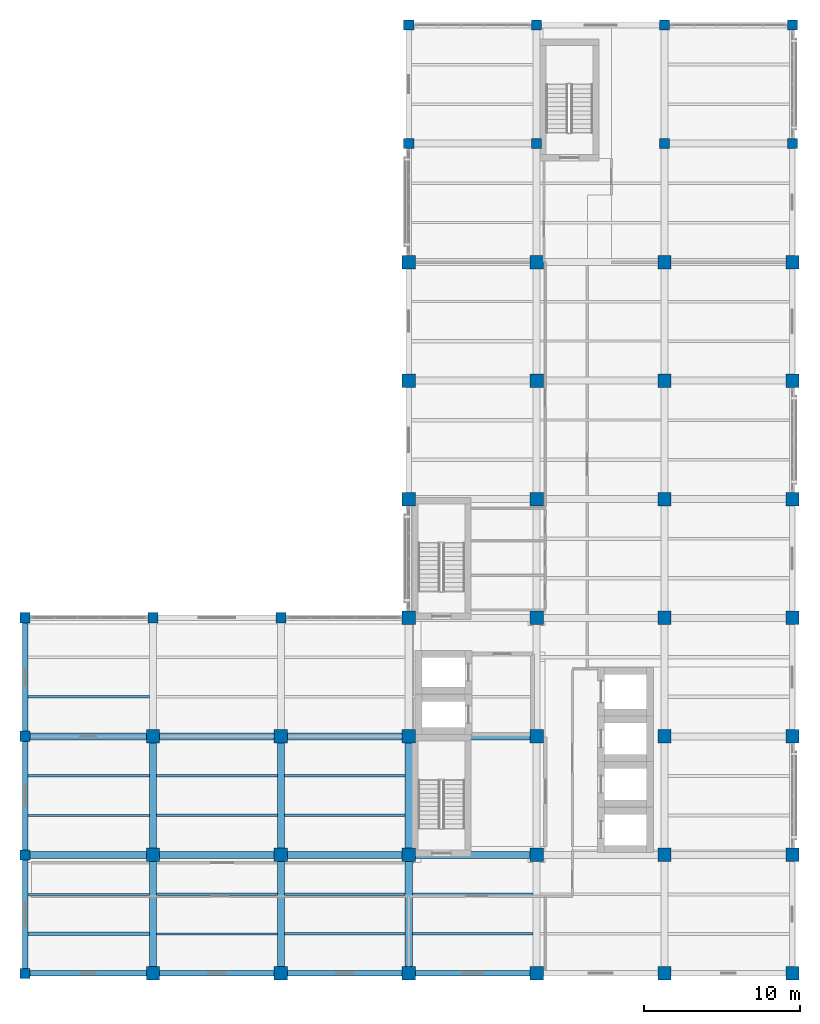
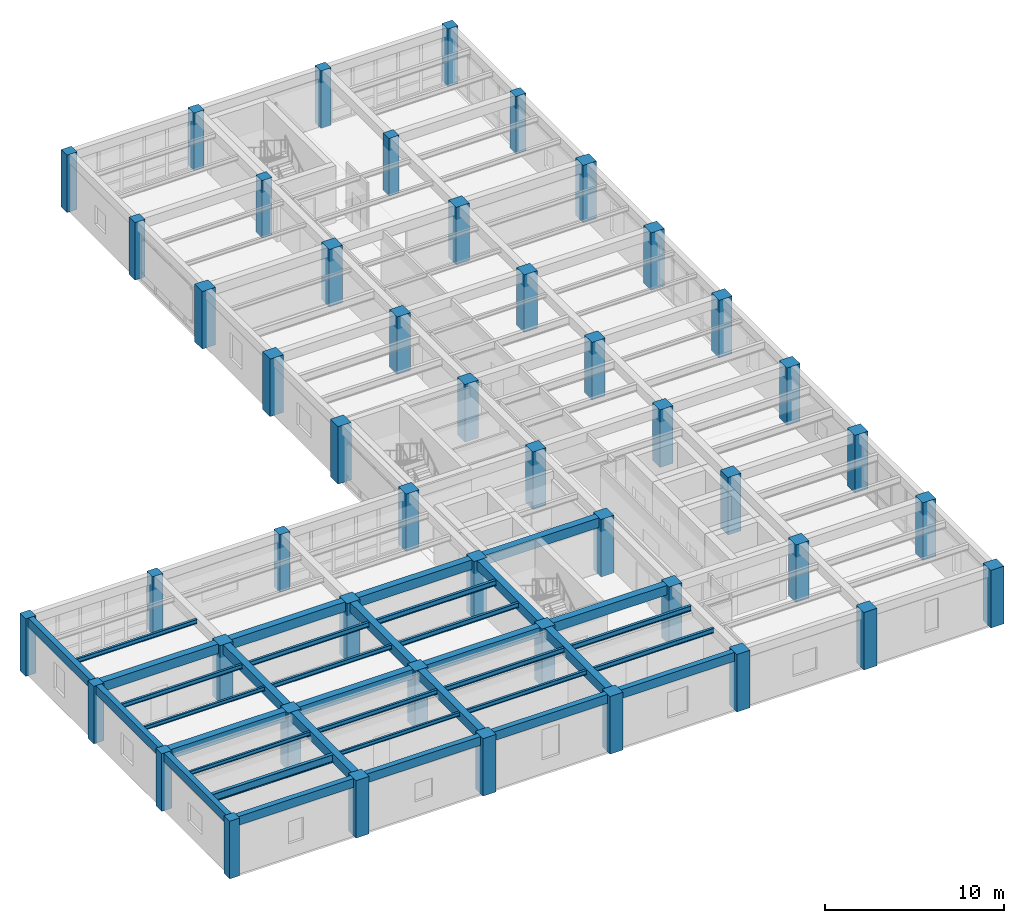
# One storey, part 1 of 16: 48 columns, 36 beams.
"""IFC4 building model written with IfcOpenShell, lengths in metres."""

from ifc_helpers import new_model, si_unit, direction, frame, origin, origin_2d, place, context, subcontext, project, spatial, rectangle, i_section, extrude, material, material_profile, profile_set, type_object, element, save


model = new_model("IFC4")

# Units and contexts
model_context = context("Model", 3, precision=1e-05, world=origin(), true_north=direction((0.0, 1.0)))
body_context = subcontext(model_context, "Body", "Model", "MODEL_VIEW")
ifc_project = project(units=[si_unit("LENGTHUNIT", "METRE"), si_unit("AREAUNIT", "SQUARE_METRE"), si_unit("VOLUMEUNIT", "CUBIC_METRE"), si_unit("PLANEANGLEUNIT", "RADIAN"), si_unit("MASSUNIT", "GRAM", prefix="KILO")], contexts=[model_context])

# Site, building, storey
site_placement = place(None, origin())
site = spatial("IfcSite", under=ifc_project, at=site_placement, CompositionType="ELEMENT")
building_placement = place(site_placement, origin())
building = spatial("IfcBuilding", under=site, at=building_placement, Name="Qandaris Square Conservatory and Botanical Centre", CompositionType="ELEMENT")
storey_placement = place(building_placement, frame((0.0, 0.0, 24.0)))
storey = spatial("IfcBuildingStorey", under=building, at=storey_placement, Name="L05", CompositionType="ELEMENT", Elevation=24.0)

# Columns
ifc_material_1 = material(Name="Concrete C50/60", Category="concrete")
ifc_material_profile_1 = material_profile(ifc_material_1, rectangle(XDim=0.64990234375, YDim=0.64990234375, at=origin_2d()), Name="RC-COL 650x650")
ifc_profile_set_1 = profile_set([ifc_material_profile_1], Name="Concrete C50/60")
column_type_1 = type_object("IfcColumnType", Name="RC Column 650x650", PredefinedType="COLUMN", material=ifc_profile_set_1)
for number, where, z_axis, x_axis, name in (
    (1, (114.60009765625, 16.60009765625, 0.0), (0.0, 0.0, 1.0), (1.0, 0.0, 0.0), "Column B14 (L05)"),
    (2, (114.60009765625, 24.199951171875, 0.0), (0.0, 0.0, 1.0), (1.0, 0.0, 0.0), "Column C14 (L05)"),
    (3, (114.60009765625, 31.800048828125, 0.0), (0.0, 0.0, 1.0), (1.0, 0.0, 0.0), "Column D14 (L05)"),
    (4, (114.60009765625, 39.39990234375, 0.0), (0.0, 0.0, 1.0), (1.0, 0.0, 0.0), "Column E14 (L05)"),
    (5, (122.800048828125, 39.39990234375, 0.0), (0.0, 0.0, 1.0), (1.0, 0.0, 0.0), "Column E15 (L05)"),
    (6, (131.0, 39.39990234375, 0.0), (0.0, 0.0, 1.0), (1.0, 0.0, 0.0), "Column E16 (L05)"),
    (7, (139.199951171875, 69.800048828125, 0.0), (0.0, 0.0, 1.0), (1.0, 0.0, 0.0), "Column J17 (L05)"),
    (8, (139.199951171875, 77.39990234375, 0.0), (0.0, 0.0, 1.0), (1.0, 0.0, 0.0), "Column K17 (L05)"),
    (9, (147.39990234375, 69.800048828125, 0.0), (0.0, 0.0, 1.0), (1.0, 0.0, 0.0), "Column J18 (L05)"),
    (10, (147.39990234375, 77.39990234375, 0.0), (0.0, 0.0, 1.0), (1.0, 0.0, 0.0), "Column K18 (L05)"),
    (11, (155.60009765625, 69.800048828125, 0.0), (0.0, 0.0, 1.0), (1.0, 0.0, 0.0), "Column J19 (L05)"),
    (12, (155.60009765625, 77.39990234375, 0.0), (0.0, 0.0, 1.0), (1.0, 0.0, 0.0), "Column K19 (L05)"),
    (13, (163.800048828125, 69.800048828125, 0.0), (0.0, 0.0, 1.0), (1.0, 0.0, 0.0), "Column J20 (L05)"),
    (14, (163.800048828125, 77.39990234375, 0.0), (0.0, 0.0, 1.0), (1.0, 0.0, 0.0), "Column K20 (L05)"),
):
    element("IfcColumn", number, at=place(storey_placement, frame(where, z_axis=z_axis, x_axis=x_axis)), inside=storey, type_object=column_type_1, Name=name, PredefinedType="COLUMN", context=body_context, shape_type="SweptSolid", body=[
        extrude(rectangle(XDim=0.64990234375, YDim=0.64990234375, at=origin_2d()), origin(), (0.0, 0.0, 1.0), 3.929931640625),
    ])
ifc_material_profile_2 = material_profile(ifc_material_1, rectangle(XDim=0.85009765625, YDim=0.85009765625, at=origin_2d()), Name="RC-COL 850x850")
ifc_profile_set_2 = profile_set([ifc_material_profile_2], Name="Concrete C50/60")
column_type_2 = type_object("IfcColumnType", Name="RC Column 850x850", PredefinedType="COLUMN", material=ifc_profile_set_2)
for number, where, z_axis, x_axis, name in (
    (15, (122.800048828125, 16.60009765625, 0.0), (0.0, 0.0, 1.0), (1.0, 0.0, 0.0), "Column B15 (L05)"),
    (16, (122.800048828125, 24.199951171875, 0.0), (0.0, 0.0, 1.0), (1.0, 0.0, 0.0), "Column C15 (L05)"),
    (17, (122.800048828125, 31.800048828125, 0.0), (0.0, 0.0, 1.0), (1.0, 0.0, 0.0), "Column D15 (L05)"),
    (18, (131.0, 16.60009765625, 0.0), (0.0, 0.0, 1.0), (1.0, 0.0, 0.0), "Column B16 (L05)"),
    (19, (131.0, 24.199951171875, 0.0), (0.0, 0.0, 1.0), (1.0, 0.0, 0.0), "Column C16 (L05)"),
    (20, (131.0, 31.800048828125, 0.0), (0.0, 0.0, 1.0), (1.0, 0.0, 0.0), "Column D16 (L05)"),
    (21, (139.199951171875, 16.60009765625, 0.0), (0.0, 0.0, 1.0), (1.0, 0.0, 0.0), "Column B17 (L05)"),
    (22, (139.199951171875, 24.199951171875, 0.0), (0.0, 0.0, 1.0), (1.0, 0.0, 0.0), "Column C17 (L05)"),
    (23, (139.199951171875, 31.800048828125, 0.0), (0.0, 0.0, 1.0), (1.0, 0.0, 0.0), "Column D17 (L05)"),
    (24, (139.199951171875, 39.39990234375, 0.0), (0.0, 0.0, 1.0), (1.0, 0.0, 0.0), "Column E17 (L05)"),
    (25, (139.199951171875, 47.0, 0.0), (0.0, 0.0, 1.0), (1.0, 0.0, 0.0), "Column F17 (L05)"),
    (26, (139.199951171875, 54.60009765625, 0.0), (0.0, 0.0, 1.0), (1.0, 0.0, 0.0), "Column G17 (L05)"),
    (27, (139.199951171875, 62.199951171875, 0.0), (0.0, 0.0, 1.0), (1.0, 0.0, 0.0), "Column H17 (L05)"),
    (28, (147.39990234375, 16.60009765625, 0.0), (0.0, 0.0, 1.0), (1.0, 0.0, 0.0), "Column B18 (L05)"),
    (29, (147.39990234375, 24.199951171875, 0.0), (0.0, 0.0, 1.0), (1.0, 0.0, 0.0), "Column C18 (L05)"),
    (30, (147.39990234375, 31.800048828125, 0.0), (0.0, 0.0, 1.0), (1.0, 0.0, 0.0), "Column D18 (L05)"),
    (31, (147.39990234375, 39.39990234375, 0.0), (0.0, 0.0, 1.0), (1.0, 0.0, 0.0), "Column E18 (L05)"),
    (32, (147.39990234375, 47.0, 0.0), (0.0, 0.0, 1.0), (1.0, 0.0, 0.0), "Column F18 (L05)"),
    (33, (147.39990234375, 54.60009765625, 0.0), (0.0, 0.0, 1.0), (1.0, 0.0, 0.0), "Column G18 (L05)"),
    (34, (147.39990234375, 62.199951171875, 0.0), (0.0, 0.0, 1.0), (1.0, 0.0, 0.0), "Column H18 (L05)"),
    (35, (155.60009765625, 16.60009765625, 0.0), (0.0, 0.0, 1.0), (1.0, 0.0, 0.0), "Column B19 (L05)"),
    (36, (155.60009765625, 24.199951171875, 0.0), (0.0, 0.0, 1.0), (1.0, 0.0, 0.0), "Column C19 (L05)"),
    (37, (155.60009765625, 31.800048828125, 0.0), (0.0, 0.0, 1.0), (1.0, 0.0, 0.0), "Column D19 (L05)"),
    (38, (155.60009765625, 39.39990234375, 0.0), (0.0, 0.0, 1.0), (1.0, 0.0, 0.0), "Column E19 (L05)"),
    (39, (155.60009765625, 47.0, 0.0), (0.0, 0.0, 1.0), (1.0, 0.0, 0.0), "Column F19 (L05)"),
    (40, (155.60009765625, 54.60009765625, 0.0), (0.0, 0.0, 1.0), (1.0, 0.0, 0.0), "Column G19 (L05)"),
    (41, (155.60009765625, 62.199951171875, 0.0), (0.0, 0.0, 1.0), (1.0, 0.0, 0.0), "Column H19 (L05)"),
    (42, (163.800048828125, 16.60009765625, 0.0), (0.0, 0.0, 1.0), (1.0, 0.0, 0.0), "Column B20 (L05)"),
    (43, (163.800048828125, 24.199951171875, 0.0), (0.0, 0.0, 1.0), (1.0, 0.0, 0.0), "Column C20 (L05)"),
    (44, (163.800048828125, 31.800048828125, 0.0), (0.0, 0.0, 1.0), (1.0, 0.0, 0.0), "Column D20 (L05)"),
    (45, (163.800048828125, 39.39990234375, 0.0), (0.0, 0.0, 1.0), (1.0, 0.0, 0.0), "Column E20 (L05)"),
    (46, (163.800048828125, 47.0, 0.0), (0.0, 0.0, 1.0), (1.0, 0.0, 0.0), "Column F20 (L05)"),
    (47, (163.800048828125, 54.60009765625, 0.0), (0.0, 0.0, 1.0), (1.0, 0.0, 0.0), "Column G20 (L05)"),
    (48, (163.800048828125, 62.199951171875, 0.0), (0.0, 0.0, 1.0), (1.0, 0.0, 0.0), "Column H20 (L05)"),
):
    element("IfcColumn", number, at=place(storey_placement, frame(where, z_axis=z_axis, x_axis=x_axis)), inside=storey, type_object=column_type_2, Name=name, PredefinedType="COLUMN", context=body_context, shape_type="SweptSolid", body=[
        extrude(rectangle(XDim=0.85009765625, YDim=0.85009765625, at=origin_2d()), origin(), (0.0, 0.0, 1.0), 3.929931640625),
    ])

# Beams
ifc_material_2 = material(Name="Steel S355", Category="steel")
ifc_material_profile_3 = material_profile(ifc_material_2, i_section(OverallWidth=0.14990234375, OverallDepth=0.300048828125, WebThickness=0.007080078125, FlangeThickness=0.0107421875, FilletRadius=0.014892578125, at=origin_2d()), Name="IPE 300")
ifc_profile_set_3 = profile_set([ifc_material_profile_3], Name="Steel S355")
beam_type_1 = type_object("IfcBeamType", Name="Composite Lab Joist IPE 300", PredefinedType="JOIST", material=ifc_profile_set_3)
for number, where, z_axis, x_axis, name in (
    (49, (114.77490234375, 29.2666015625, 3.77001953125), (1.0, 0.0, 0.0), (0.0, 1.0, 0.0), "L05 Composite Joist 1904"),
    (50, (114.77490234375, 34.333251953125, 3.77001953125), (1.0, 0.0, 0.0), (0.0, 1.0, 0.0), "L05 Composite Joist 1905"),
):
    element("IfcBeam", number, at=place(storey_placement, frame(where, z_axis=z_axis, x_axis=x_axis)), inside=storey, type_object=beam_type_1, Name=name, PredefinedType="JOIST", context=body_context, shape_type="SweptSolid", body=[
        extrude(i_section(OverallWidth=0.14990234375, OverallDepth=0.300048828125, WebThickness=0.007080078125, FlangeThickness=0.0107421875, FilletRadius=0.014892578125, at=origin_2d()), origin(), (0.0, 0.0, 1.0), 7.800048828125),
    ])
for number, where, z_axis, x_axis, name in (
    (51, (123.02490234375, 21.666748046875, 3.77001953125), (1.0, 0.0, 0.0), (0.0, 1.0, 0.0), "L05 Composite Joist 1908"),
    (52, (123.02490234375, 26.7333984375, 3.77001953125), (1.0, 0.0, 0.0), (0.0, 1.0, 0.0), "L05 Composite Joist 1909"),
    (53, (131.22509765625, 19.13330078125, 3.77001953125), (1.0, 0.0, 0.0), (0.0, 1.0, 0.0), "L05 Composite Joist 1913"),
):
    element("IfcBeam", number, at=place(storey_placement, frame(where, z_axis=z_axis, x_axis=x_axis)), inside=storey, type_object=beam_type_1, Name=name, PredefinedType="JOIST", context=body_context, shape_type="SweptSolid", body=[
        extrude(i_section(OverallWidth=0.14990234375, OverallDepth=0.300048828125, WebThickness=0.007080078125, FlangeThickness=0.0107421875, FilletRadius=0.014892578125, at=origin_2d()), origin(), (0.0, 0.0, 1.0), 7.75),
    ])
ifc_material_profile_4 = material_profile(ifc_material_2, i_section(OverallWidth=0.159912109375, OverallDepth=0.330078125, WebThickness=0.007568359375, FlangeThickness=0.011474609375, FilletRadius=0.01806640625, at=origin_2d()), Name="IPE 330")
ifc_profile_set_4 = profile_set([ifc_material_profile_4], Name="Steel S355")
beam_type_2 = type_object("IfcBeamType", Name="Composite Lab Joist IPE 330", PredefinedType="JOIST", material=ifc_profile_set_4)
for number, where, z_axis, x_axis, name in (
    (54, (123.02490234375, 29.2666015625, 3.7548828125), (1.0, 0.0, 0.0), (0.0, 1.0, 0.0), "L05 Composite Joist 1910"),
    (55, (131.22509765625, 21.666748046875, 3.7548828125), (1.0, 0.0, 0.0), (0.0, 1.0, 0.0), "L05 Composite Joist 1914"),
    (56, (131.22509765625, 26.7333984375, 3.7548828125), (1.0, 0.0, 0.0), (0.0, 1.0, 0.0), "L05 Composite Joist 1915"),
    (57, (139.425048828125, 19.13330078125, 3.7548828125), (1.0, 0.0, 0.0), (0.0, 1.0, 0.0), "L05 Composite Joist 1919"),
):
    element("IfcBeam", number, at=place(storey_placement, frame(where, z_axis=z_axis, x_axis=x_axis)), inside=storey, type_object=beam_type_2, Name=name, PredefinedType="JOIST", context=body_context, shape_type="SweptSolid", body=[
        extrude(i_section(OverallWidth=0.159912109375, OverallDepth=0.330078125, WebThickness=0.007568359375, FlangeThickness=0.011474609375, FilletRadius=0.01806640625, at=origin_2d()), origin(), (0.0, 0.0, 1.0), 7.75),
    ])
ifc_material_profile_5 = material_profile(ifc_material_2, i_section(OverallWidth=0.169921875, OverallDepth=0.360107421875, WebThickness=0.008056640625, FlangeThickness=0.0126953125, FilletRadius=0.01806640625, at=origin_2d()), Name="IPE 360")
ifc_profile_set_5 = profile_set([ifc_material_profile_5], Name="Steel S355")
beam_type_3 = type_object("IfcBeamType", Name="Composite Lab Joist IPE 360", PredefinedType="JOIST", material=ifc_profile_set_5)
for number, where, z_axis, x_axis, name in (
    (58, (131.22509765625, 29.2666015625, 3.739990234375), (1.0, 0.0, 0.0), (0.0, 1.0, 0.0), "L05 Composite Joist 1916"),
    (59, (139.425048828125, 21.666748046875, 3.739990234375), (1.0, 0.0, 0.0), (0.0, 1.0, 0.0), "L05 Composite Joist 1920"),
):
    element("IfcBeam", number, at=place(storey_placement, frame(where, z_axis=z_axis, x_axis=x_axis)), inside=storey, type_object=beam_type_3, Name=name, PredefinedType="JOIST", context=body_context, shape_type="SweptSolid", body=[
        extrude(i_section(OverallWidth=0.169921875, OverallDepth=0.360107421875, WebThickness=0.008056640625, FlangeThickness=0.0126953125, FilletRadius=0.01806640625, at=origin_2d()), origin(), (0.0, 0.0, 1.0), 7.75),
    ])
ifc_material_profile_6 = material_profile(ifc_material_2, i_section(OverallWidth=0.2099609375, OverallDepth=0.550048828125, WebThickness=0.010986328125, FlangeThickness=0.01708984375, FilletRadius=0.02392578125, at=origin_2d()), Name="IPE 550")
ifc_profile_set_6 = profile_set([ifc_material_profile_6], Name="Steel S355")
beam_type_4 = type_object("IfcBeamType", Name="Long-Span Foyer Joist IPE 550", PredefinedType="JOIST", material=ifc_profile_set_6)
beam_1_placement = place(storey_placement, frame((114.77490234375, 19.13330078125, 3.64501953125), z_axis=(1.0, 0.0, 0.0), x_axis=(0.0, 1.0, 0.0)))
element("IfcBeam", 60, at=beam_1_placement, inside=storey, type_object=beam_type_4, Name="L05 Composite Joist 1901", PredefinedType="JOIST", context=body_context, shape_type="SweptSolid", body=[
    extrude(i_section(OverallWidth=0.2099609375, OverallDepth=0.550048828125, WebThickness=0.010986328125, FlangeThickness=0.01708984375, FilletRadius=0.02392578125, at=origin_2d()), origin(), (0.0, 0.0, 1.0), 7.800048828125),
])
ifc_material_profile_7 = material_profile(ifc_material_1, rectangle(XDim=0.35009765625, YDim=0.60009765625, at=origin_2d()), Name="RC-SP 350x600")
ifc_profile_set_7 = profile_set([ifc_material_profile_7], Name="Concrete C50/60")
beam_type_5 = type_object("IfcBeamType", Name="RC Edge Spandrel Beam 350x600", PredefinedType="SPANDREL", material=ifc_profile_set_7)
for number, where, z_axis, x_axis, name in (
    (61, (114.60009765625, 16.60009765625, 3.6298828125), (1.0, 0.0, 0.0), (0.0, 1.0, 0.0), "L05 Frame Beam 1823"),
    (62, (122.800048828125, 16.60009765625, 3.6298828125), (1.0, 0.0, 0.0), (0.0, 1.0, 0.0), "L05 Frame Beam 1824"),
    (63, (131.0, 16.60009765625, 3.6298828125), (1.0, 0.0, 0.0), (0.0, 1.0, 0.0), "L05 Frame Beam 1825"),
    (64, (139.199951171875, 16.60009765625, 3.6298828125), (1.0, 0.0, 0.0), (0.0, 1.0, 0.0), "L05 Frame Beam 1826"),
):
    element("IfcBeam", number, at=place(storey_placement, frame(where, z_axis=z_axis, x_axis=x_axis)), inside=storey, type_object=beam_type_5, Name=name, PredefinedType="SPANDREL", context=body_context, shape_type="SweptSolid", body=[
        extrude(rectangle(XDim=0.35009765625, YDim=0.60009765625, at=origin_2d()), origin(), (0.0, 0.0, 1.0), 8.199951171875),
    ])
beam_2_placement = place(storey_placement, frame((114.60009765625, 16.60009765625, 3.6298828125), z_axis=(0.0, 1.0, 0.0), x_axis=(-1.0, 0.0, 0.0)))
element("IfcBeam", 65, at=beam_2_placement, inside=storey, type_object=beam_type_5, Name="L05 Frame Beam 1860", PredefinedType="SPANDREL", context=body_context, shape_type="SweptSolid", body=[
    extrude(rectangle(XDim=0.35009765625, YDim=0.60009765625, at=origin_2d()), origin(), (0.0, 0.0, 1.0), 7.599853515625),
])
beam_3_placement = place(storey_placement, frame((114.60009765625, 24.199951171875, 3.6298828125), z_axis=(0.0, 1.0, 0.0), x_axis=(-1.0, 0.0, 0.0)))
element("IfcBeam", 66, at=beam_3_placement, inside=storey, type_object=beam_type_5, Name="L05 Frame Beam 1861", PredefinedType="SPANDREL", context=body_context, shape_type="SweptSolid", body=[
    extrude(rectangle(XDim=0.35009765625, YDim=0.60009765625, at=origin_2d()), origin(), (0.0, 0.0, 1.0), 7.60009765625),
])
beam_4_placement = place(storey_placement, frame((114.60009765625, 31.800048828125, 3.6298828125), z_axis=(0.0, 1.0, 0.0), x_axis=(-1.0, 0.0, 0.0)))
element("IfcBeam", 67, at=beam_4_placement, inside=storey, type_object=beam_type_5, Name="L05 Frame Beam 1862", PredefinedType="SPANDREL", context=body_context, shape_type="SweptSolid", body=[
    extrude(rectangle(XDim=0.35009765625, YDim=0.60009765625, at=origin_2d()), origin(), (0.0, 0.0, 1.0), 7.599853515625),
])
ifc_material_profile_8 = material_profile(ifc_material_1, rectangle(XDim=0.449951171875, YDim=0.64990234375, at=origin_2d()), Name="RC-BM 450x650")
ifc_profile_set_8 = profile_set([ifc_material_profile_8], Name="Concrete C50/60")
beam_type_6 = type_object("IfcBeamType", Name="RC Floor Girder 450x650", PredefinedType="BEAM", material=ifc_profile_set_8)
for number, where, z_axis, x_axis, name in (
    (68, (114.60009765625, 24.199951171875, 3.60498046875), (1.0, 0.0, 0.0), (0.0, 1.0, 0.0), "L05 Frame Beam 1829"),
    (69, (122.800048828125, 24.199951171875, 3.60498046875), (1.0, 0.0, 0.0), (0.0, 1.0, 0.0), "L05 Frame Beam 1830"),
    (70, (131.0, 24.199951171875, 3.60498046875), (1.0, 0.0, 0.0), (0.0, 1.0, 0.0), "L05 Frame Beam 1831"),
    (71, (139.199951171875, 24.199951171875, 3.60498046875), (1.0, 0.0, 0.0), (0.0, 1.0, 0.0), "L05 Frame Beam 1832"),
    (72, (114.60009765625, 31.800048828125, 3.60498046875), (1.0, 0.0, 0.0), (0.0, 1.0, 0.0), "L05 Frame Beam 1835"),
    (73, (122.800048828125, 31.800048828125, 3.60498046875), (1.0, 0.0, 0.0), (0.0, 1.0, 0.0), "L05 Frame Beam 1836"),
    (74, (131.0, 31.800048828125, 3.60498046875), (1.0, 0.0, 0.0), (0.0, 1.0, 0.0), "L05 Frame Beam 1837"),
    (75, (139.199951171875, 31.800048828125, 3.60498046875), (1.0, 0.0, 0.0), (0.0, 1.0, 0.0), "L05 Frame Beam 1838"),
):
    element("IfcBeam", number, at=place(storey_placement, frame(where, z_axis=z_axis, x_axis=x_axis)), inside=storey, type_object=beam_type_6, Name=name, PredefinedType="BEAM", context=body_context, shape_type="SweptSolid", body=[
        extrude(rectangle(XDim=0.449951171875, YDim=0.64990234375, at=origin_2d()), origin(), (0.0, 0.0, 1.0), 8.199951171875),
    ])
beam_5_placement = place(storey_placement, frame((122.800048828125, 16.60009765625, 3.60498046875), z_axis=(0.0, 1.0, 0.0), x_axis=(-1.0, 0.0, 0.0)))
element("IfcBeam", 76, at=beam_5_placement, inside=storey, type_object=beam_type_6, Name="L05 Frame Beam 1863", PredefinedType="BEAM", context=body_context, shape_type="SweptSolid", body=[
    extrude(rectangle(XDim=0.449951171875, YDim=0.64990234375, at=origin_2d()), origin(), (0.0, 0.0, 1.0), 7.599853515625),
])
beam_6_placement = place(storey_placement, frame((122.800048828125, 24.199951171875, 3.60498046875), z_axis=(0.0, 1.0, 0.0), x_axis=(-1.0, 0.0, 0.0)))
element("IfcBeam", 77, at=beam_6_placement, inside=storey, type_object=beam_type_6, Name="L05 Frame Beam 1864", PredefinedType="BEAM", context=body_context, shape_type="SweptSolid", body=[
    extrude(rectangle(XDim=0.449951171875, YDim=0.64990234375, at=origin_2d()), origin(), (0.0, 0.0, 1.0), 7.60009765625),
])
beam_7_placement = place(storey_placement, frame((131.0, 16.60009765625, 3.60498046875), z_axis=(0.0, 1.0, 0.0), x_axis=(-1.0, 0.0, 0.0)))
element("IfcBeam", 78, at=beam_7_placement, inside=storey, type_object=beam_type_6, Name="L05 Frame Beam 1866", PredefinedType="BEAM", context=body_context, shape_type="SweptSolid", body=[
    extrude(rectangle(XDim=0.449951171875, YDim=0.64990234375, at=origin_2d()), origin(), (0.0, 0.0, 1.0), 7.599853515625),
])
beam_8_placement = place(storey_placement, frame((131.0, 24.199951171875, 3.60498046875), z_axis=(0.0, 1.0, 0.0), x_axis=(-1.0, 0.0, 0.0)))
element("IfcBeam", 79, at=beam_8_placement, inside=storey, type_object=beam_type_6, Name="L05 Frame Beam 1867", PredefinedType="BEAM", context=body_context, shape_type="SweptSolid", body=[
    extrude(rectangle(XDim=0.449951171875, YDim=0.64990234375, at=origin_2d()), origin(), (0.0, 0.0, 1.0), 7.60009765625),
])
beam_9_placement = place(storey_placement, frame((139.199951171875, 16.60009765625, 3.60498046875), z_axis=(0.0, 1.0, 0.0), x_axis=(-1.0, 0.0, 0.0)))
element("IfcBeam", 80, at=beam_9_placement, inside=storey, type_object=beam_type_6, Name="L05 Frame Beam 1869", PredefinedType="BEAM", context=body_context, shape_type="SweptSolid", body=[
    extrude(rectangle(XDim=0.449951171875, YDim=0.64990234375, at=origin_2d()), origin(), (0.0, 0.0, 1.0), 7.599853515625),
])
beam_10_placement = place(storey_placement, frame((139.199951171875, 24.199951171875, 3.60498046875), z_axis=(0.0, 1.0, 0.0), x_axis=(-1.0, 0.0, 0.0)))
element("IfcBeam", 81, at=beam_10_placement, inside=storey, type_object=beam_type_6, Name="L05 Frame Beam 1870", PredefinedType="BEAM", context=body_context, shape_type="SweptSolid", body=[
    extrude(rectangle(XDim=0.449951171875, YDim=0.64990234375, at=origin_2d()), origin(), (0.0, 0.0, 1.0), 7.60009765625),
])
ifc_material_profile_9 = material_profile(ifc_material_2, i_section(OverallWidth=0.135009765625, OverallDepth=0.27001953125, WebThickness=0.006591796875, FlangeThickness=0.01025390625, FilletRadius=0.014892578125, at=origin_2d()), Name="IPE 270")
ifc_profile_set_9 = profile_set([ifc_material_profile_9], Name="Steel S355")
beam_type_7 = type_object("IfcBeamType", Name="Steel Floor Joist IPE 270", PredefinedType="JOIST", material=ifc_profile_set_9)
for number, where, z_axis, x_axis, name in (
    (82, (114.77490234375, 21.666748046875, 3.784912109375), (1.0, 0.0, 0.0), (0.0, 1.0, 0.0), "L05 Composite Joist 1902"),
    (83, (114.77490234375, 26.7333984375, 3.784912109375), (1.0, 0.0, 0.0), (0.0, 1.0, 0.0), "L05 Composite Joist 1903"),
):
    element("IfcBeam", number, at=place(storey_placement, frame(where, z_axis=z_axis, x_axis=x_axis)), inside=storey, type_object=beam_type_7, Name=name, PredefinedType="JOIST", context=body_context, shape_type="SweptSolid", body=[
        extrude(i_section(OverallWidth=0.135009765625, OverallDepth=0.27001953125, WebThickness=0.006591796875, FlangeThickness=0.01025390625, FilletRadius=0.014892578125, at=origin_2d()), origin(), (0.0, 0.0, 1.0), 7.800048828125),
    ])
beam_11_placement = place(storey_placement, frame((123.02490234375, 19.13330078125, 3.784912109375), z_axis=(1.0, 0.0, 0.0), x_axis=(0.0, 1.0, 0.0)))
element("IfcBeam", 84, at=beam_11_placement, inside=storey, type_object=beam_type_7, Name="L05 Composite Joist 1907", PredefinedType="JOIST", context=body_context, shape_type="SweptSolid", body=[
    extrude(i_section(OverallWidth=0.135009765625, OverallDepth=0.27001953125, WebThickness=0.006591796875, FlangeThickness=0.01025390625, FilletRadius=0.014892578125, at=origin_2d()), origin(), (0.0, 0.0, 1.0), 7.75),
])

save(model, "model.ifc")
